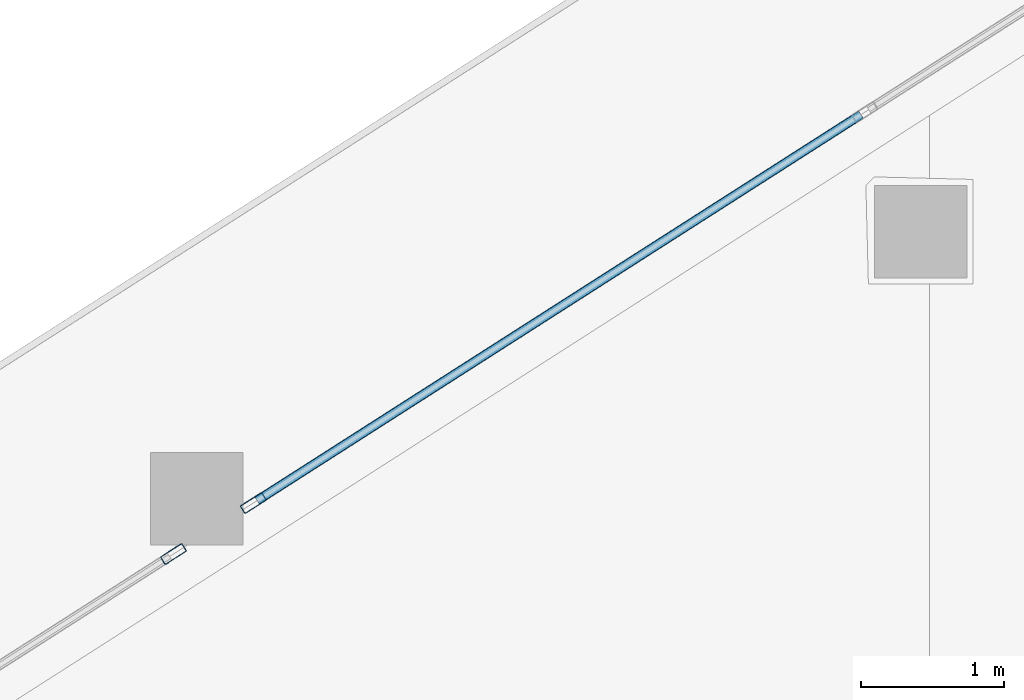
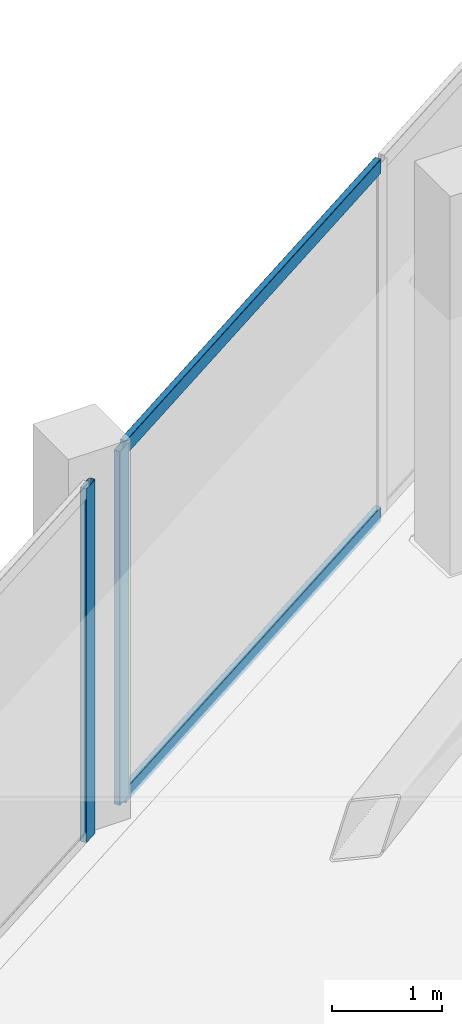
# One storey, part 20 of 52: 4 members, 2 elements without a shape of their own.
"""IFC4 building model written with IfcOpenShell, lengths in metres."""

from ifc_helpers import new_model, si_unit, direction, frame, origin, origin_2d, place, context, subcontext, project, spatial, hollow_rectangle, extrude, material, layer, layer_set, material_profile, profile_set, type_object, element, aggregate, save


model = new_model("IFC4")

# Units and contexts
model_context = context("Model", 3, precision=1e-05, world=origin(), true_north=direction((0.0, 1.0)))
body_context = subcontext(model_context, "Body", "Model", "MODEL_VIEW")
ifc_project = project(units=[si_unit("LENGTHUNIT", "METRE"), si_unit("AREAUNIT", "SQUARE_METRE"), si_unit("VOLUMEUNIT", "CUBIC_METRE"), si_unit("PLANEANGLEUNIT", "RADIAN"), si_unit("MASSUNIT", "GRAM", prefix="KILO")], contexts=[model_context])

# Site, building, storey
site_placement = place(None, origin())
site = spatial("IfcSite", under=ifc_project, at=site_placement, CompositionType="ELEMENT")
building_placement = place(site_placement, origin())
building = spatial("IfcBuilding", under=site, at=building_placement, Name="Qorvath Tower", CompositionType="ELEMENT")
storey_placement = place(building_placement, frame((0.0, 0.0, 61.800048828125)))
storey = spatial("IfcBuildingStorey", under=building, at=storey_placement, Name="L13", CompositionType="ELEMENT", Elevation=61.800048828125)

# Curtain wall, member
ifc_material_1 = material(Name="Anodised aluminium and triple low-E glass", Category="aluminium")
ifc_layer = layer(ifc_material_1, 0.179931640625)
ifc_layer_set = layer_set([ifc_layer], Name="CW-SYS-2")
curtain_wall_type = type_object("IfcCurtainWallType", Name="CW-SYS-2", PredefinedType="NOTDEFINED", material=ifc_layer_set)
curtain_wall_1_placement = place(storey_placement, origin())
curtain_wall_1 = element("IfcCurtainWall", 1, at=curtain_wall_1_placement, inside=storey, type_object=curtain_wall_type, Name="Curtain Wall CW-2 CW-T-L13-16.2", PredefinedType="NOTDEFINED")
ifc_material_2 = material(Name="Anodised aluminium 6063-T6", Category="aluminium")
ifc_material_profile_1 = material_profile(ifc_material_2, hollow_rectangle(XDim=0.06494140625, YDim=0.179931640625, WallThickness=0.00341796875, InnerFilletRadius=0.00341796875, OuterFilletRadius=0.007080078125, at=origin_2d()), Name="CWM 180x65")
ifc_profile_set_1 = profile_set([ifc_material_profile_1], Name="Anodised aluminium 6063-T6")
member_type_1 = type_object("IfcMemberType", Name="CWM-180", PredefinedType="MULLION", material=ifc_profile_set_1)
member_1_placement = place(storey_placement, frame((-39.93505859375, 16.92626953125, 0.0), z_axis=(0.0, 0.0, 1.0), x_axis=(0.538539451152, -0.842600296435, 0.0)))
member_1 = element("IfcMember", 2, at=member_1_placement, type_object=member_type_1, Name="CW-2 mullion 6", PredefinedType="MULLION", context=body_context, shape_type="SweptSolid", body=[
    extrude(hollow_rectangle(XDim=0.06494140625, YDim=0.179931640625, WallThickness=0.00341796875, InnerFilletRadius=0.00341796875, OuterFilletRadius=0.007080078125, at=origin_2d()), origin(), (0.0, 0.0, 1.0), 3.919921875),
])

curtain_wall_2_placement = place(storey_placement, origin())
curtain_wall_2 = element("IfcCurtainWall", 3, at=curtain_wall_2_placement, inside=storey, type_object=curtain_wall_type, Name="Curtain Wall CW-2 CW-T-L13-16.3", PredefinedType="NOTDEFINED")
member_2_placement = place(storey_placement, frame((-40.4951171875, 16.568115234375, 0.0), z_axis=(0.0, 0.0, 1.0), x_axis=(0.53852960651, -0.842606588458, 0.0)))
member_2 = element("IfcMember", 4, at=member_2_placement, type_object=member_type_1, Name="CW-2 mullion 1", PredefinedType="MULLION", context=body_context, shape_type="SweptSolid", body=[
    extrude(hollow_rectangle(XDim=0.06494140625, YDim=0.179931640625, WallThickness=0.00341796875, InnerFilletRadius=0.00341796875, OuterFilletRadius=0.007080078125, at=origin_2d()), origin(), (0.0, 0.0, 1.0), 3.919921875),
])
aggregate(curtain_wall_2, [member_2])

# Member
ifc_material_3 = material(Name="Anodised aluminium 6063-T6", Category="aluminium")
ifc_material_profile_2 = material_profile(ifc_material_3, hollow_rectangle(XDim=0.06494140625, YDim=0.159912109375, WallThickness=0.00341796875, InnerFilletRadius=0.00341796875, OuterFilletRadius=0.007080078125, at=origin_2d()), Name="CWT 160x65")
ifc_profile_set_2 = profile_set([ifc_material_profile_2], Name="Anodised aluminium 6063-T6")
member_type_2 = type_object("IfcMemberType", Name="CWT-160", PredefinedType="USERDEFINED", material=ifc_profile_set_2)
member_3_placement = place(storey_placement, frame((-35.67138671875, 19.6513671875, 0.032470703125), z_axis=(-0.842586087681, -0.538561681562, 0.0), x_axis=(0.538561681562, -0.842586087681, 0.0)))
member_3 = element("IfcMember", 5, at=member_3_placement, type_object=member_type_2, Name="CW-2 transom 5.1", ObjectType="TRANSOM", PredefinedType="USERDEFINED", context=body_context, shape_type="SweptSolid", body=[
    extrude(hollow_rectangle(XDim=0.06494140625, YDim=0.159912109375, WallThickness=0.00341796875, InnerFilletRadius=0.00341796875, OuterFilletRadius=0.007080078125, at=origin_2d()), origin(), (0.0, 0.0, 1.0), 5.02783203125),
])

member_4_placement = place(storey_placement, frame((-35.67138671875, 19.6513671875, 3.887451171875), z_axis=(-0.842586087681, -0.538561681562, 0.0), x_axis=(0.538561681562, -0.842586087681, 0.0)))
member_4 = element("IfcMember", 6, at=member_4_placement, type_object=member_type_2, Name="CW-2 transom 5.2", ObjectType="TRANSOM", PredefinedType="USERDEFINED", context=body_context, shape_type="SweptSolid", body=[
    extrude(hollow_rectangle(XDim=0.06494140625, YDim=0.159912109375, WallThickness=0.00341796875, InnerFilletRadius=0.00341796875, OuterFilletRadius=0.007080078125, at=origin_2d()), origin(), (0.0, 0.0, 1.0), 5.02783203125),
])

aggregate(curtain_wall_1, [member_1, member_3, member_4])

save(model, "model.ifc")
